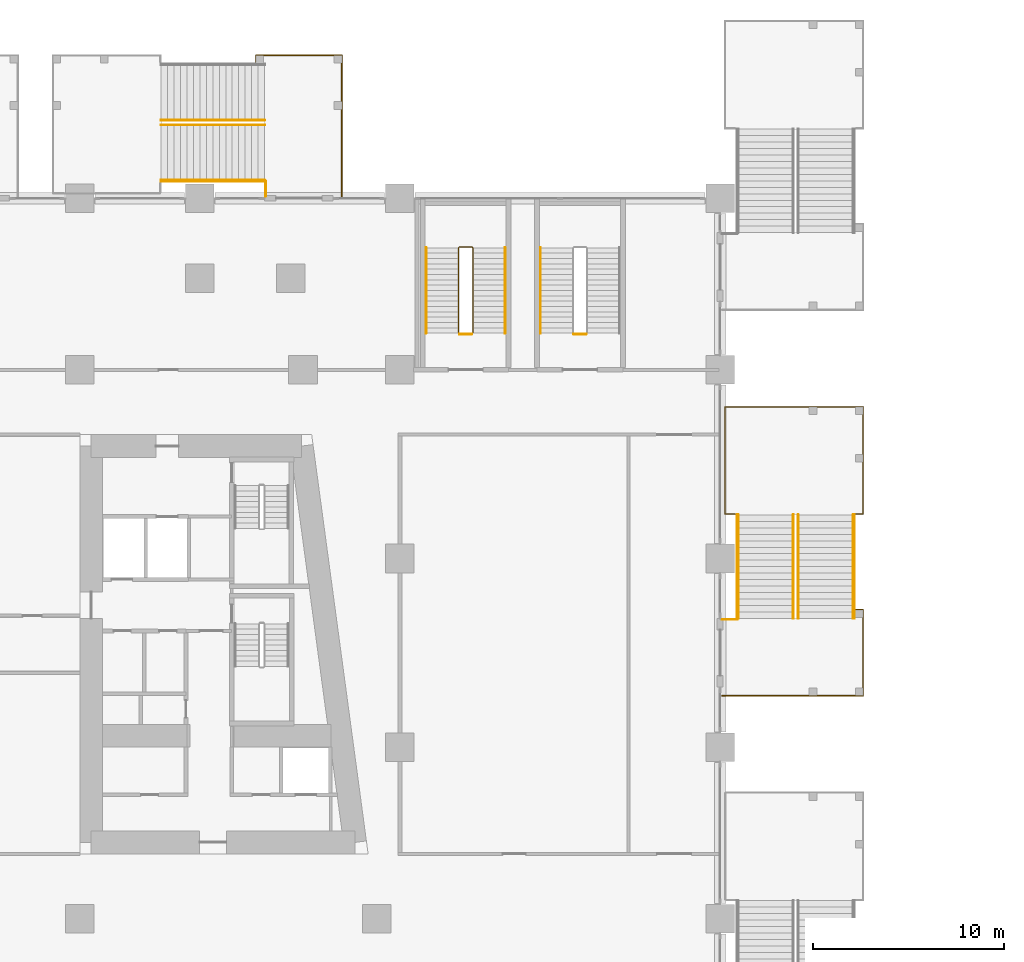
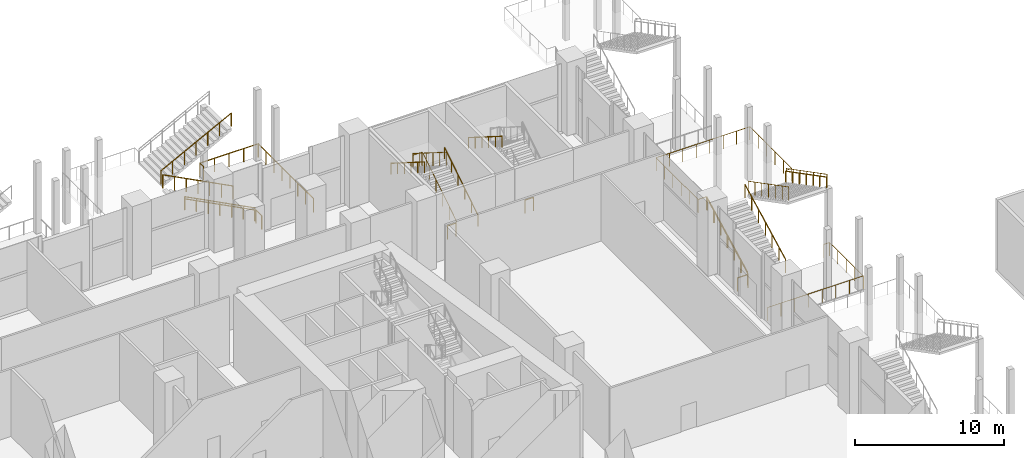
# One storey, part 45 of 49: 21 railings.
"""IFC4 building model written with IfcOpenShell, lengths in metres."""

from ifc_helpers import new_model, si_unit, direction, frame, origin, origin_2d, place, context, subcontext, project, spatial, circle, extrude, material, type_object, element, save


model = new_model("IFC4")

# Units and contexts
model_context = context("Model", 3, precision=1e-05, world=origin(), true_north=direction((0.0, 1.0)))
body_context = subcontext(model_context, "Body", "Model", "MODEL_VIEW")
ifc_project = project(units=[si_unit("LENGTHUNIT", "METRE"), si_unit("AREAUNIT", "SQUARE_METRE"), si_unit("VOLUMEUNIT", "CUBIC_METRE"), si_unit("PLANEANGLEUNIT", "RADIAN"), si_unit("MASSUNIT", "GRAM", prefix="KILO")], contexts=[model_context])

# Site, building, storey
site_placement = place(None, origin())
site = spatial("IfcSite", under=ifc_project, at=site_placement, CompositionType="ELEMENT")
building_placement = place(site_placement, origin())
building = spatial("IfcBuilding", under=site, at=building_placement, Name="Candeia Pilgrim Tower and Theatre", CompositionType="ELEMENT")
storey_placement = place(building_placement, frame((0.0, 0.0, 17.0)))
storey = spatial("IfcBuildingStorey", under=building, at=storey_placement, Name="L02", CompositionType="ELEMENT", Elevation=17.0)

# Railings
ifc_material_1 = material(Name="Stainless steel balustrade", Category="steel")
railing_type_1 = type_object("IfcRailingType", Name="RL-GUARD-1100", PredefinedType="GUARDRAIL", material=ifc_material_1)
railing_1_placement = place(storey_placement, frame((146.625, 137.72509765625, 0.176513671875)))
element("IfcRailing", 1, at=railing_1_placement, inside=storey, type_object=railing_type_1, Name="L02 PS3 stair guard 1", PredefinedType="GUARDRAIL", context=body_context, shape_type="SweptSolid", body=[
    extrude(circle(Radius=0.02392578125, at=origin_2d()), frame((0.0, 0.0, 1.076171875), z_axis=(0.0, 0.845997938375, 0.533186166611), x_axis=(-1.0, 0.0, 0.0)), (0.0, 0.0, 1.0), 5.29541015625),
    extrude(circle(Radius=0.02392578125, at=origin_2d()), frame((0.0, 4.47998046875, 3.8994140625), z_axis=(-0.708833529934, 0.705375805398, 0.0), x_axis=(-0.705375805398, -0.708833529934, 0.0)), (0.0, 0.0, 1.0), 0.070556640625),
    extrude(circle(Radius=0.02392578125, at=origin_2d()), frame((-0.050048828125, 4.52978515625, 3.8994140625), z_axis=(-1.0, 0.0, 0.0), x_axis=(0.0, -1.0, 0.0)), (0.0, 0.0, 1.0), 0.64990234375),
    extrude(circle(Radius=0.02392578125, at=origin_2d()), frame((-0.699951171875, 4.52978515625, 3.8994140625), z_axis=(-0.263260079301, -0.261975883792, 0.928473352853), x_axis=(0.705375805398, -0.708833529934, 0.0)), (0.0, 0.0, 1.0), 0.190185546875),
    extrude(circle(Radius=0.02392578125, at=origin_2d()), frame((-0.75, 4.47998046875, 4.076171875), z_axis=(0.0, -0.845997938375, 0.533186166611), x_axis=(1.0, 0.0, 0.0)), (0.0, 0.0, 1.0), 5.29541015625),
    extrude(circle(Radius=0.02099609375, at=origin_2d()), origin(), (0.0, 0.0, 1.0), 1.052001953125),
    extrude(circle(Radius=0.02099609375, at=origin_2d()), frame((0.0, 0.89599609375, 0.564697265625)), (0.0, 0.0, 1.0), 1.052001953125),
    extrude(circle(Radius=0.02099609375, at=origin_2d()), frame((0.0, 1.7919921875, 1.12939453125)), (0.0, 0.0, 1.0), 1.052001953125),
    extrude(circle(Radius=0.02099609375, at=origin_2d()), frame((0.0, 2.68798828125, 1.694091796875)), (0.0, 0.0, 1.0), 1.052001953125),
    extrude(circle(Radius=0.02099609375, at=origin_2d()), frame((0.0, 3.583984375, 2.2587890625)), (0.0, 0.0, 1.0), 1.052001953125),
    extrude(circle(Radius=0.02099609375, at=origin_2d()), frame((0.0, 4.47998046875, 2.823486328125)), (0.0, 0.0, 1.0), 1.052001953125),
    extrude(circle(Radius=0.02099609375, at=origin_2d()), frame((-0.050048828125, 4.52978515625, 2.823486328125)), (0.0, 0.0, 1.0), 1.052001953125),
    extrude(circle(Radius=0.02099609375, at=origin_2d()), frame((-0.699951171875, 4.52978515625, 2.823486328125)), (0.0, 0.0, 1.0), 1.052001953125),
    extrude(circle(Radius=0.02099609375, at=origin_2d()), frame((-0.75, 4.47998046875, 3.0)), (0.0, 0.0, 1.0), 1.052001953125),
    extrude(circle(Radius=0.02099609375, at=origin_2d()), frame((-0.75, 3.583984375, 3.564697265625)), (0.0, 0.0, 1.0), 1.052001953125),
    extrude(circle(Radius=0.02099609375, at=origin_2d()), frame((-0.75, 2.68798828125, 4.12939453125)), (0.0, 0.0, 1.0), 1.052001953125),
    extrude(circle(Radius=0.02099609375, at=origin_2d()), frame((-0.75, 1.7919921875, 4.694091796875)), (0.0, 0.0, 1.0), 1.052001953125),
    extrude(circle(Radius=0.02099609375, at=origin_2d()), frame((-0.75, 0.89599609375, 5.2587890625)), (0.0, 0.0, 1.0), 1.052001953125),
    extrude(circle(Radius=0.02099609375, at=origin_2d()), frame((-0.75, 0.0, 5.823486328125)), (0.0, 0.0, 1.0), 1.052001953125),
])
for number, where, name in (
    (2, (146.574951171875, 137.675048828125, 0.0), "L02 PS3 stair guard 2"),
    (3, (152.574951171875, 137.675048828125, 0.0), "L02 PS4 stair guard 2"),
):
    element("IfcRailing", number, at=place(storey_placement, frame(where)), inside=storey, type_object=railing_type_1, Name=name, PredefinedType="GUARDRAIL", context=body_context, shape_type="SweptSolid", body=[
        extrude(circle(Radius=0.02392578125, at=origin_2d()), frame((0.0, 0.0, 1.076171875), z_axis=(-1.0, 0.0, 0.0), x_axis=(0.0, -1.0, 0.0)), (0.0, 0.0, 1.0), 0.64990234375),
        extrude(circle(Radius=0.02099609375, at=origin_2d()), origin(), (0.0, 0.0, 1.0), 1.052001953125),
        extrude(circle(Radius=0.02099609375, at=origin_2d()), frame((-0.64990234375, 0.0, 0.0)), (0.0, 0.0, 1.0), 1.052001953125),
    ])
railing_2_placement = place(storey_placement, frame((135.699951171875, 148.64990234375, 0.176513671875)))
element("IfcRailing", 4, at=railing_2_placement, inside=storey, type_object=railing_type_1, Name="L02 ES7 stair guard 1", PredefinedType="GUARDRAIL", context=body_context, shape_type="SweptSolid", body=[
    extrude(circle(Radius=0.02392578125, at=origin_2d()), frame((0.0, 0.0, 1.076171875), z_axis=(-0.887569374008, 0.0, 0.460674078198), x_axis=(0.0, -1.0, 0.0)), (0.0, 0.0, 1.0), 6.129150390625),
    extrude(circle(Radius=0.02099609375, at=origin_2d()), origin(), (0.0, 0.0, 1.0), 1.052001953125),
    extrude(circle(Radius=0.02099609375, at=origin_2d()), frame((-0.90673828125, 0.0, 0.470703125)), (0.0, 0.0, 1.0), 1.052001953125),
    extrude(circle(Radius=0.02099609375, at=origin_2d()), frame((-1.813232421875, 0.0, 0.941162109375)), (0.0, 0.0, 1.0), 1.052001953125),
    extrude(circle(Radius=0.02099609375, at=origin_2d()), frame((-2.719970703125, 0.0, 1.41162109375)), (0.0, 0.0, 1.0), 1.052001953125),
    extrude(circle(Radius=0.02099609375, at=origin_2d()), frame((-3.626708984375, 0.0, 1.88232421875)), (0.0, 0.0, 1.0), 1.052001953125),
    extrude(circle(Radius=0.02099609375, at=origin_2d()), frame((-4.533203125, 0.0, 2.35302734375)), (0.0, 0.0, 1.0), 1.052001953125),
    extrude(circle(Radius=0.02099609375, at=origin_2d()), frame((-5.43994140625, 0.0, 2.823486328125)), (0.0, 0.0, 1.0), 1.052001953125),
])
railing_3_placement = place(storey_placement, frame((130.260009765625, 148.89990234375, 3.176513671875)))
element("IfcRailing", 5, at=railing_3_placement, inside=storey, type_object=railing_type_1, Name="L02 ES7 stair guard 2", PredefinedType="GUARDRAIL", context=body_context, shape_type="SweptSolid", body=[
    extrude(circle(Radius=0.02392578125, at=origin_2d()), frame((0.0, 0.0, 1.076171875), z_axis=(0.887569374008, 0.0, 0.460674078198), x_axis=(0.0, 1.0, 0.0)), (0.0, 0.0, 1.0), 6.129150390625),
    extrude(circle(Radius=0.02099609375, at=origin_2d()), origin(), (0.0, 0.0, 1.0), 1.052001953125),
    extrude(circle(Radius=0.02099609375, at=origin_2d()), frame((0.90673828125, 0.0, 0.470703125)), (0.0, 0.0, 1.0), 1.052001953125),
    extrude(circle(Radius=0.02099609375, at=origin_2d()), frame((1.813232421875, 0.0, 0.941162109375)), (0.0, 0.0, 1.0), 1.052001953125),
    extrude(circle(Radius=0.02099609375, at=origin_2d()), frame((2.719970703125, 0.0, 1.41162109375)), (0.0, 0.0, 1.0), 1.052001953125),
    extrude(circle(Radius=0.02099609375, at=origin_2d()), frame((3.626708984375, 0.0, 1.88232421875)), (0.0, 0.0, 1.0), 1.052001953125),
    extrude(circle(Radius=0.02099609375, at=origin_2d()), frame((4.533203125, 0.0, 2.35302734375)), (0.0, 0.0, 1.0), 1.052001953125),
    extrude(circle(Radius=0.02099609375, at=origin_2d()), frame((5.43994140625, 0.0, 2.823486328125)), (0.0, 0.0, 1.0), 1.052001953125),
])
railing_4_placement = place(storey_placement, frame((135.699951171875, 145.699951171875, 0.176513671875)))
element("IfcRailing", 6, at=railing_4_placement, inside=storey, type_object=railing_type_1, Name="L02 ES7 stair guard 3", PredefinedType="GUARDRAIL", context=body_context, shape_type="SweptSolid", body=[
    extrude(circle(Radius=0.02392578125, at=origin_2d()), frame((0.0, 0.0, 1.076171875), z_axis=(-0.887569374008, 0.0, 0.460674078198), x_axis=(0.0, -1.0, 0.0)), (0.0, 0.0, 1.0), 6.129150390625),
    extrude(circle(Radius=0.02099609375, at=origin_2d()), origin(), (0.0, 0.0, 1.0), 1.052001953125),
    extrude(circle(Radius=0.02099609375, at=origin_2d()), frame((-0.90673828125, 0.0, 0.470703125)), (0.0, 0.0, 1.0), 1.052001953125),
    extrude(circle(Radius=0.02099609375, at=origin_2d()), frame((-1.813232421875, 0.0, 0.941162109375)), (0.0, 0.0, 1.0), 1.052001953125),
    extrude(circle(Radius=0.02099609375, at=origin_2d()), frame((-2.719970703125, 0.0, 1.41162109375)), (0.0, 0.0, 1.0), 1.052001953125),
    extrude(circle(Radius=0.02099609375, at=origin_2d()), frame((-3.626708984375, 0.0, 1.88232421875)), (0.0, 0.0, 1.0), 1.052001953125),
    extrude(circle(Radius=0.02099609375, at=origin_2d()), frame((-4.533203125, 0.0, 2.35302734375)), (0.0, 0.0, 1.0), 1.052001953125),
    extrude(circle(Radius=0.02099609375, at=origin_2d()), frame((-5.43994140625, 0.0, 2.823486328125)), (0.0, 0.0, 1.0), 1.052001953125),
])
railing_5_placement = place(storey_placement, frame((139.75, 144.89990234375, 0.0)))
element("IfcRailing", 7, at=railing_5_placement, inside=storey, type_object=railing_type_1, Name="L02 External escape stair ES7 landing guard", PredefinedType="GUARDRAIL", context=body_context, shape_type="SweptSolid", body=[
    extrude(circle(Radius=0.02392578125, at=origin_2d()), frame((0.0, 0.0, 1.076171875), z_axis=(0.0, 1.0, 0.0), x_axis=(-1.0, 0.0, 0.0)), (0.0, 0.0, 1.0), 7.400146484375),
    extrude(circle(Radius=0.02392578125, at=origin_2d()), frame((0.0, 7.400146484375, 1.076171875), z_axis=(-1.0, 0.0, 0.0), x_axis=(0.0, -1.0, 0.0)), (0.0, 0.0, 1.0), 4.5),
    extrude(circle(Radius=0.02392578125, at=origin_2d()), frame((-4.5, 7.400146484375, 1.076171875), z_axis=(0.0, -1.0, 0.0), x_axis=(1.0, 0.0, 0.0)), (0.0, 0.0, 1.0), 0.449951171875),
    extrude(circle(Radius=0.02099609375, at=origin_2d()), origin(), (0.0, 0.0, 1.0), 1.052001953125),
    extrude(circle(Radius=0.02099609375, at=origin_2d()), frame((0.0, 1.05712890625, 0.0)), (0.0, 0.0, 1.0), 1.052001953125),
    extrude(circle(Radius=0.02099609375, at=origin_2d()), frame((0.0, 2.1142578125, 0.0)), (0.0, 0.0, 1.0), 1.052001953125),
    extrude(circle(Radius=0.02099609375, at=origin_2d()), frame((0.0, 3.17138671875, 0.0)), (0.0, 0.0, 1.0), 1.052001953125),
    extrude(circle(Radius=0.02099609375, at=origin_2d()), frame((0.0, 4.228759765625, 0.0)), (0.0, 0.0, 1.0), 1.052001953125),
    extrude(circle(Radius=0.02099609375, at=origin_2d()), frame((0.0, 5.285888671875, 0.0)), (0.0, 0.0, 1.0), 1.052001953125),
    extrude(circle(Radius=0.02099609375, at=origin_2d()), frame((0.0, 6.343017578125, 0.0)), (0.0, 0.0, 1.0), 1.052001953125),
    extrude(circle(Radius=0.02099609375, at=origin_2d()), frame((0.0, 7.400146484375, 0.0)), (0.0, 0.0, 1.0), 1.052001953125),
    extrude(circle(Radius=0.02099609375, at=origin_2d()), frame((-1.125, 7.400146484375, 0.0)), (0.0, 0.0, 1.0), 1.052001953125),
    extrude(circle(Radius=0.02099609375, at=origin_2d()), frame((-2.25, 7.400146484375, 0.0)), (0.0, 0.0, 1.0), 1.052001953125),
    extrude(circle(Radius=0.02099609375, at=origin_2d()), frame((-3.375, 7.400146484375, 0.0)), (0.0, 0.0, 1.0), 1.052001953125),
    extrude(circle(Radius=0.02099609375, at=origin_2d()), frame((-4.5, 7.400146484375, 0.0)), (0.0, 0.0, 1.0), 1.052001953125),
    extrude(circle(Radius=0.02099609375, at=origin_2d()), frame((-4.5, 6.9501953125, 0.0)), (0.0, 0.0, 1.0), 1.052001953125),
])
railing_6_placement = place(storey_placement, frame((135.75, 144.89990234375, 0.0)))
element("IfcRailing", 8, at=railing_6_placement, inside=storey, type_object=railing_type_1, Name="L02 External escape stair ES7 bridge guard", PredefinedType="GUARDRAIL", context=body_context, shape_type="SweptSolid", body=[
    extrude(circle(Radius=0.02392578125, at=origin_2d()), frame((0.0, 0.0, 1.076171875), z_axis=(0.0, 1.0, 0.0), x_axis=(-1.0, 0.0, 0.0)), (0.0, 0.0, 1.0), 0.800048828125),
    extrude(circle(Radius=0.02099609375, at=origin_2d()), origin(), (0.0, 0.0, 1.0), 1.052001953125),
    extrude(circle(Radius=0.02099609375, at=origin_2d()), frame((0.0, 0.800048828125, 0.0)), (0.0, 0.0, 1.0), 1.052001953125),
])
railing_7_placement = place(storey_placement, frame((163.449951171875, 122.75, 0.176513671875)))
element("IfcRailing", 9, at=railing_7_placement, inside=storey, type_object=railing_type_1, Name="L02 ES14 stair guard 1", PredefinedType="GUARDRAIL", context=body_context, shape_type="SweptSolid", body=[
    extrude(circle(Radius=0.02392578125, at=origin_2d()), frame((0.0, 0.0, 1.076171875), z_axis=(0.0, 0.887569374008, 0.460674078198), x_axis=(-1.0, 0.0, 0.0)), (0.0, 0.0, 1.0), 6.129150390625),
    extrude(circle(Radius=0.02099609375, at=origin_2d()), origin(), (0.0, 0.0, 1.0), 1.052001953125),
    extrude(circle(Radius=0.02099609375, at=origin_2d()), frame((0.0, 0.90673828125, 0.470703125)), (0.0, 0.0, 1.0), 1.052001953125),
    extrude(circle(Radius=0.02099609375, at=origin_2d()), frame((0.0, 1.813232421875, 0.941162109375)), (0.0, 0.0, 1.0), 1.052001953125),
    extrude(circle(Radius=0.02099609375, at=origin_2d()), frame((0.0, 2.719970703125, 1.41162109375)), (0.0, 0.0, 1.0), 1.052001953125),
    extrude(circle(Radius=0.02099609375, at=origin_2d()), frame((0.0, 3.626708984375, 1.88232421875)), (0.0, 0.0, 1.0), 1.052001953125),
    extrude(circle(Radius=0.02099609375, at=origin_2d()), frame((0.0, 4.533203125, 2.35302734375)), (0.0, 0.0, 1.0), 1.052001953125),
    extrude(circle(Radius=0.02099609375, at=origin_2d()), frame((0.0, 5.43994140625, 2.823486328125)), (0.0, 0.0, 1.0), 1.052001953125),
])
railing_8_placement = place(storey_placement, frame((163.699951171875, 128.18994140625, 3.176513671875)))
element("IfcRailing", 10, at=railing_8_placement, inside=storey, type_object=railing_type_1, Name="L02 ES14 stair guard 2", PredefinedType="GUARDRAIL", context=body_context, shape_type="SweptSolid", body=[
    extrude(circle(Radius=0.02392578125, at=origin_2d()), frame((0.0, 0.0, 1.076171875), z_axis=(0.0, -0.887569374008, 0.460674078198), x_axis=(1.0, 0.0, 0.0)), (0.0, 0.0, 1.0), 6.129150390625),
    extrude(circle(Radius=0.02099609375, at=origin_2d()), origin(), (0.0, 0.0, 1.0), 1.052001953125),
    extrude(circle(Radius=0.02099609375, at=origin_2d()), frame((0.0, -0.90673828125, 0.470703125)), (0.0, 0.0, 1.0), 1.052001953125),
    extrude(circle(Radius=0.02099609375, at=origin_2d()), frame((0.0, -1.813232421875, 0.941162109375)), (0.0, 0.0, 1.0), 1.052001953125),
    extrude(circle(Radius=0.02099609375, at=origin_2d()), frame((0.0, -2.719970703125, 1.41162109375)), (0.0, 0.0, 1.0), 1.052001953125),
    extrude(circle(Radius=0.02099609375, at=origin_2d()), frame((0.0, -3.626708984375, 1.88232421875)), (0.0, 0.0, 1.0), 1.052001953125),
    extrude(circle(Radius=0.02099609375, at=origin_2d()), frame((0.0, -4.533203125, 2.35302734375)), (0.0, 0.0, 1.0), 1.052001953125),
    extrude(circle(Radius=0.02099609375, at=origin_2d()), frame((0.0, -5.43994140625, 2.823486328125)), (0.0, 0.0, 1.0), 1.052001953125),
])
railing_9_placement = place(storey_placement, frame((160.5, 122.75, 0.176513671875)))
element("IfcRailing", 11, at=railing_9_placement, inside=storey, type_object=railing_type_1, Name="L02 ES14 stair guard 3", PredefinedType="GUARDRAIL", context=body_context, shape_type="SweptSolid", body=[
    extrude(circle(Radius=0.02392578125, at=origin_2d()), frame((0.0, 0.0, 1.076171875), z_axis=(0.0, 0.887569374008, 0.460674078198), x_axis=(-1.0, 0.0, 0.0)), (0.0, 0.0, 1.0), 6.129150390625),
    extrude(circle(Radius=0.02099609375, at=origin_2d()), origin(), (0.0, 0.0, 1.0), 1.052001953125),
    extrude(circle(Radius=0.02099609375, at=origin_2d()), frame((0.0, 0.90673828125, 0.470703125)), (0.0, 0.0, 1.0), 1.052001953125),
    extrude(circle(Radius=0.02099609375, at=origin_2d()), frame((0.0, 1.813232421875, 0.941162109375)), (0.0, 0.0, 1.0), 1.052001953125),
    extrude(circle(Radius=0.02099609375, at=origin_2d()), frame((0.0, 2.719970703125, 1.41162109375)), (0.0, 0.0, 1.0), 1.052001953125),
    extrude(circle(Radius=0.02099609375, at=origin_2d()), frame((0.0, 3.626708984375, 1.88232421875)), (0.0, 0.0, 1.0), 1.052001953125),
    extrude(circle(Radius=0.02099609375, at=origin_2d()), frame((0.0, 4.533203125, 2.35302734375)), (0.0, 0.0, 1.0), 1.052001953125),
    extrude(circle(Radius=0.02099609375, at=origin_2d()), frame((0.0, 5.43994140625, 2.823486328125)), (0.0, 0.0, 1.0), 1.052001953125),
])
railing_10_placement = place(storey_placement, frame((166.64990234375, 128.18994140625, 3.176513671875)))
element("IfcRailing", 12, at=railing_10_placement, inside=storey, type_object=railing_type_1, Name="L02 ES14 stair guard 4", PredefinedType="GUARDRAIL", context=body_context, shape_type="SweptSolid", body=[
    extrude(circle(Radius=0.02392578125, at=origin_2d()), frame((0.0, 0.0, 1.076171875), z_axis=(0.0, -0.887569374008, 0.460674078198), x_axis=(1.0, 0.0, 0.0)), (0.0, 0.0, 1.0), 6.129150390625),
    extrude(circle(Radius=0.02099609375, at=origin_2d()), origin(), (0.0, 0.0, 1.0), 1.052001953125),
    extrude(circle(Radius=0.02099609375, at=origin_2d()), frame((0.0, -0.90673828125, 0.470703125)), (0.0, 0.0, 1.0), 1.052001953125),
    extrude(circle(Radius=0.02099609375, at=origin_2d()), frame((0.0, -1.813232421875, 0.941162109375)), (0.0, 0.0, 1.0), 1.052001953125),
    extrude(circle(Radius=0.02099609375, at=origin_2d()), frame((0.0, -2.719970703125, 1.41162109375)), (0.0, 0.0, 1.0), 1.052001953125),
    extrude(circle(Radius=0.02099609375, at=origin_2d()), frame((0.0, -3.626708984375, 1.88232421875)), (0.0, 0.0, 1.0), 1.052001953125),
    extrude(circle(Radius=0.02099609375, at=origin_2d()), frame((0.0, -4.533203125, 2.35302734375)), (0.0, 0.0, 1.0), 1.052001953125),
    extrude(circle(Radius=0.02099609375, at=origin_2d()), frame((0.0, -5.43994140625, 2.823486328125)), (0.0, 0.0, 1.0), 1.052001953125),
])
railing_11_placement = place(storey_placement, frame((160.5, 128.239990234375, 3.0)))
element("IfcRailing", 13, at=railing_11_placement, inside=storey, type_object=railing_type_1, Name="L02 ES14 stair guard 5", PredefinedType="GUARDRAIL", context=body_context, shape_type="SweptSolid", body=[
    extrude(circle(Radius=0.02392578125, at=origin_2d()), frame((0.0, 0.0, 1.076171875), z_axis=(-1.0, 0.0, 0.0), x_axis=(0.0, -1.0, 0.0)), (0.0, 0.0, 1.0), 0.64990234375),
    extrude(circle(Radius=0.02392578125, at=origin_2d()), frame((-0.64990234375, 0.0, 1.076171875), z_axis=(0.0, 1.0, 0.0), x_axis=(-1.0, 0.0, 0.0)), (0.0, 0.0, 1.0), 5.6201171875),
    extrude(circle(Radius=0.02392578125, at=origin_2d()), frame((-0.64990234375, 5.6201171875, 1.076171875), z_axis=(1.0, 0.0, 0.0), x_axis=(0.0, 1.0, 0.0)), (0.0, 0.0, 1.0), 7.25),
    extrude(circle(Radius=0.02392578125, at=origin_2d()), frame((6.60009765625, 5.6201171875, 1.076171875), z_axis=(0.0, -1.0, 0.0), x_axis=(1.0, 0.0, 0.0)), (0.0, 0.0, 1.0), 5.6201171875),
    extrude(circle(Radius=0.02392578125, at=origin_2d()), frame((6.60009765625, 0.0, 1.076171875), z_axis=(-1.0, 0.0, 0.0), x_axis=(0.0, -1.0, 0.0)), (0.0, 0.0, 1.0), 0.4501953125),
    extrude(circle(Radius=0.02099609375, at=origin_2d()), origin(), (0.0, 0.0, 1.0), 1.052001953125),
    extrude(circle(Radius=0.02099609375, at=origin_2d()), frame((-0.64990234375, 0.0, 0.0)), (0.0, 0.0, 1.0), 1.052001953125),
    extrude(circle(Radius=0.02099609375, at=origin_2d()), frame((-0.64990234375, 1.1240234375, 0.0)), (0.0, 0.0, 1.0), 1.052001953125),
    extrude(circle(Radius=0.02099609375, at=origin_2d()), frame((-0.64990234375, 2.248046875, 0.0)), (0.0, 0.0, 1.0), 1.052001953125),
    extrude(circle(Radius=0.02099609375, at=origin_2d()), frame((-0.64990234375, 3.3720703125, 0.0)), (0.0, 0.0, 1.0), 1.052001953125),
    extrude(circle(Radius=0.02099609375, at=origin_2d()), frame((-0.64990234375, 4.49609375, 0.0)), (0.0, 0.0, 1.0), 1.052001953125),
    extrude(circle(Radius=0.02099609375, at=origin_2d()), frame((-0.64990234375, 5.6201171875, 0.0)), (0.0, 0.0, 1.0), 1.052001953125),
    extrude(circle(Radius=0.02099609375, at=origin_2d()), frame((0.3857421875, 5.6201171875, 0.0)), (0.0, 0.0, 1.0), 1.052001953125),
    extrude(circle(Radius=0.02099609375, at=origin_2d()), frame((1.421630859375, 5.6201171875, 0.0)), (0.0, 0.0, 1.0), 1.052001953125),
    extrude(circle(Radius=0.02099609375, at=origin_2d()), frame((2.457275390625, 5.6201171875, 0.0)), (0.0, 0.0, 1.0), 1.052001953125),
    extrude(circle(Radius=0.02099609375, at=origin_2d()), frame((3.492919921875, 5.6201171875, 0.0)), (0.0, 0.0, 1.0), 1.052001953125),
    extrude(circle(Radius=0.02099609375, at=origin_2d()), frame((4.528564453125, 5.6201171875, 0.0)), (0.0, 0.0, 1.0), 1.052001953125),
    extrude(circle(Radius=0.02099609375, at=origin_2d()), frame((5.564453125, 5.6201171875, 0.0)), (0.0, 0.0, 1.0), 1.052001953125),
    extrude(circle(Radius=0.02099609375, at=origin_2d()), frame((6.60009765625, 5.6201171875, 0.0)), (0.0, 0.0, 1.0), 1.052001953125),
    extrude(circle(Radius=0.02099609375, at=origin_2d()), frame((6.60009765625, 4.49609375, 0.0)), (0.0, 0.0, 1.0), 1.052001953125),
    extrude(circle(Radius=0.02099609375, at=origin_2d()), frame((6.60009765625, 3.3720703125, 0.0)), (0.0, 0.0, 1.0), 1.052001953125),
    extrude(circle(Radius=0.02099609375, at=origin_2d()), frame((6.60009765625, 2.248046875, 0.0)), (0.0, 0.0, 1.0), 1.052001953125),
    extrude(circle(Radius=0.02099609375, at=origin_2d()), frame((6.60009765625, 1.1240234375, 0.0)), (0.0, 0.0, 1.0), 1.052001953125),
    extrude(circle(Radius=0.02099609375, at=origin_2d()), frame((6.60009765625, 0.0, 0.0)), (0.0, 0.0, 1.0), 1.052001953125),
    extrude(circle(Radius=0.02099609375, at=origin_2d()), frame((6.14990234375, 0.0, 0.0)), (0.0, 0.0, 1.0), 1.052001953125),
])
railing_12_placement = place(storey_placement, frame((159.699951171875, 118.699951171875, 0.0)))
element("IfcRailing", 14, at=railing_12_placement, inside=storey, type_object=railing_type_1, Name="L02 External escape stair ES14 landing guard", PredefinedType="GUARDRAIL", context=body_context, shape_type="SweptSolid", body=[
    extrude(circle(Radius=0.02392578125, at=origin_2d()), frame((0.0, 0.0, 1.076171875), z_axis=(1.0, 0.0, 0.0), x_axis=(0.0, 1.0, 0.0)), (0.0, 0.0, 1.0), 7.400146484375),
    extrude(circle(Radius=0.02392578125, at=origin_2d()), frame((7.400146484375, 0.0, 1.076171875), z_axis=(0.0, 1.0, 0.0), x_axis=(-1.0, 0.0, 0.0)), (0.0, 0.0, 1.0), 4.5),
    extrude(circle(Radius=0.02392578125, at=origin_2d()), frame((7.400146484375, 4.5, 1.076171875), z_axis=(-1.0, 0.0, 0.0), x_axis=(0.0, -1.0, 0.0)), (0.0, 0.0, 1.0), 0.4501953125),
    extrude(circle(Radius=0.02099609375, at=origin_2d()), origin(), (0.0, 0.0, 1.0), 1.052001953125),
    extrude(circle(Radius=0.02099609375, at=origin_2d()), frame((1.05712890625, 0.0, 0.0)), (0.0, 0.0, 1.0), 1.052001953125),
    extrude(circle(Radius=0.02099609375, at=origin_2d()), frame((2.1142578125, 0.0, 0.0)), (0.0, 0.0, 1.0), 1.052001953125),
    extrude(circle(Radius=0.02099609375, at=origin_2d()), frame((3.17138671875, 0.0, 0.0)), (0.0, 0.0, 1.0), 1.052001953125),
    extrude(circle(Radius=0.02099609375, at=origin_2d()), frame((4.228759765625, 0.0, 0.0)), (0.0, 0.0, 1.0), 1.052001953125),
    extrude(circle(Radius=0.02099609375, at=origin_2d()), frame((5.285888671875, 0.0, 0.0)), (0.0, 0.0, 1.0), 1.052001953125),
    extrude(circle(Radius=0.02099609375, at=origin_2d()), frame((6.343017578125, 0.0, 0.0)), (0.0, 0.0, 1.0), 1.052001953125),
    extrude(circle(Radius=0.02099609375, at=origin_2d()), frame((7.400146484375, 0.0, 0.0)), (0.0, 0.0, 1.0), 1.052001953125),
    extrude(circle(Radius=0.02099609375, at=origin_2d()), frame((7.400146484375, 1.125, 0.0)), (0.0, 0.0, 1.0), 1.052001953125),
    extrude(circle(Radius=0.02099609375, at=origin_2d()), frame((7.400146484375, 2.25, 0.0)), (0.0, 0.0, 1.0), 1.052001953125),
    extrude(circle(Radius=0.02099609375, at=origin_2d()), frame((7.400146484375, 3.375, 0.0)), (0.0, 0.0, 1.0), 1.052001953125),
    extrude(circle(Radius=0.02099609375, at=origin_2d()), frame((7.400146484375, 4.5, 0.0)), (0.0, 0.0, 1.0), 1.052001953125),
    extrude(circle(Radius=0.02099609375, at=origin_2d()), frame((6.949951171875, 4.5, 0.0)), (0.0, 0.0, 1.0), 1.052001953125),
])
railing_13_placement = place(storey_placement, frame((159.699951171875, 122.699951171875, 0.0)))
element("IfcRailing", 15, at=railing_13_placement, inside=storey, type_object=railing_type_1, Name="L02 External escape stair ES14 bridge guard", PredefinedType="GUARDRAIL", context=body_context, shape_type="SweptSolid", body=[
    extrude(circle(Radius=0.02392578125, at=origin_2d()), frame((0.0, 0.0, 1.076171875), z_axis=(1.0, 0.0, 0.0), x_axis=(0.0, 1.0, 0.0)), (0.0, 0.0, 1.0), 0.800048828125),
    extrude(circle(Radius=0.02099609375, at=origin_2d()), origin(), (0.0, 0.0, 1.0), 1.052001953125),
    extrude(circle(Radius=0.02099609375, at=origin_2d()), frame((0.800048828125, 0.0, 0.0)), (0.0, 0.0, 1.0), 1.052001953125),
])
ifc_material_2 = material(Name="Stainless steel handrail", Category="steel")
railing_type_2 = type_object("IfcRailingType", Name="RL-HANDRAIL-900", PredefinedType="HANDRAIL", material=ifc_material_2)
railing_14_placement = place(storey_placement, frame((148.324951171875, 137.72509765625, 0.176513671875)))
element("IfcRailing", 16, at=railing_14_placement, inside=storey, type_object=railing_type_2, Name="L02 PS3 stair handrail 1", PredefinedType="HANDRAIL", context=body_context, shape_type="SweptSolid", body=[
    extrude(circle(Radius=0.02392578125, at=origin_2d()), frame((0.0, 0.0, 0.8759765625), z_axis=(0.0, 0.845997938375, 0.533186166611), x_axis=(-1.0, 0.0, 0.0)), (0.0, 0.0, 1.0), 5.29541015625),
    extrude(circle(Radius=0.02099609375, at=origin_2d()), origin(), (0.0, 0.0, 1.0), 0.851806640625),
    extrude(circle(Radius=0.02099609375, at=origin_2d()), frame((0.0, 0.89599609375, 0.564697265625)), (0.0, 0.0, 1.0), 0.851806640625),
    extrude(circle(Radius=0.02099609375, at=origin_2d()), frame((0.0, 1.7919921875, 1.12939453125)), (0.0, 0.0, 1.0), 0.851806640625),
    extrude(circle(Radius=0.02099609375, at=origin_2d()), frame((0.0, 2.68798828125, 1.694091796875)), (0.0, 0.0, 1.0), 0.851806640625),
    extrude(circle(Radius=0.02099609375, at=origin_2d()), frame((0.0, 3.583984375, 2.2587890625)), (0.0, 0.0, 1.0), 0.851806640625),
    extrude(circle(Radius=0.02099609375, at=origin_2d()), frame((0.0, 4.47998046875, 2.823486328125)), (0.0, 0.0, 1.0), 0.851806640625),
])
for number, where, name in (
    (17, (144.175048828125, 142.205078125, 3.176513671875), "L02 PS3 stair handrail 2"),
    (18, (150.175048828125, 142.205078125, 3.176513671875), "L02 PS4 stair handrail 2"),
):
    element("IfcRailing", number, at=place(storey_placement, frame(where)), inside=storey, type_object=railing_type_2, Name=name, PredefinedType="HANDRAIL", context=body_context, shape_type="SweptSolid", body=[
        extrude(circle(Radius=0.02392578125, at=origin_2d()), frame((0.0, 0.0, 0.8759765625), z_axis=(0.0, -0.845997938375, 0.533186166611), x_axis=(1.0, 0.0, 0.0)), (0.0, 0.0, 1.0), 5.29541015625),
        extrude(circle(Radius=0.02099609375, at=origin_2d()), origin(), (0.0, 0.0, 1.0), 0.851806640625),
        extrude(circle(Radius=0.02099609375, at=origin_2d()), frame((0.0, -0.89599609375, 0.564697265625)), (0.0, 0.0, 1.0), 0.851806640625),
        extrude(circle(Radius=0.02099609375, at=origin_2d()), frame((0.0, -1.7919921875, 1.12939453125)), (0.0, 0.0, 1.0), 0.851806640625),
        extrude(circle(Radius=0.02099609375, at=origin_2d()), frame((0.0, -2.68798828125, 1.694091796875)), (0.0, 0.0, 1.0), 0.851806640625),
        extrude(circle(Radius=0.02099609375, at=origin_2d()), frame((0.0, -3.583984375, 2.2587890625)), (0.0, 0.0, 1.0), 0.851806640625),
        extrude(circle(Radius=0.02099609375, at=origin_2d()), frame((0.0, -4.47998046875, 2.823486328125)), (0.0, 0.0, 1.0), 0.851806640625),
    ])
railing_15_placement = place(storey_placement, frame((135.699951171875, 145.75, 0.176513671875)))
element("IfcRailing", 19, at=railing_15_placement, inside=storey, type_object=railing_type_2, Name="L02 ES7 stair handrail 1", PredefinedType="HANDRAIL", context=body_context, shape_type="SweptSolid", body=[
    extrude(circle(Radius=0.02392578125, at=origin_2d()), frame((0.0, 0.0, 0.8759765625), z_axis=(-0.887569374008, 0.0, 0.460674078198), x_axis=(0.0, -1.0, 0.0)), (0.0, 0.0, 1.0), 6.129150390625),
    extrude(circle(Radius=0.02099609375, at=origin_2d()), origin(), (0.0, 0.0, 1.0), 0.851806640625),
    extrude(circle(Radius=0.02099609375, at=origin_2d()), frame((-0.90673828125, 0.0, 0.470703125)), (0.0, 0.0, 1.0), 0.851806640625),
    extrude(circle(Radius=0.02099609375, at=origin_2d()), frame((-1.813232421875, 0.0, 0.941162109375)), (0.0, 0.0, 1.0), 0.851806640625),
    extrude(circle(Radius=0.02099609375, at=origin_2d()), frame((-2.719970703125, 0.0, 1.41162109375)), (0.0, 0.0, 1.0), 0.851806640625),
    extrude(circle(Radius=0.02099609375, at=origin_2d()), frame((-3.626708984375, 0.0, 1.88232421875)), (0.0, 0.0, 1.0), 0.851806640625),
    extrude(circle(Radius=0.02099609375, at=origin_2d()), frame((-4.533203125, 0.0, 2.35302734375)), (0.0, 0.0, 1.0), 0.851806640625),
    extrude(circle(Radius=0.02099609375, at=origin_2d()), frame((-5.43994140625, 0.0, 2.823486328125)), (0.0, 0.0, 1.0), 0.851806640625),
])
railing_16_placement = place(storey_placement, frame((160.550048828125, 122.75, 0.176513671875)))
element("IfcRailing", 20, at=railing_16_placement, inside=storey, type_object=railing_type_2, Name="L02 ES14 stair handrail 1", PredefinedType="HANDRAIL", context=body_context, shape_type="SweptSolid", body=[
    extrude(circle(Radius=0.02392578125, at=origin_2d()), frame((0.0, 0.0, 0.8759765625), z_axis=(0.0, 0.887569374008, 0.460674078198), x_axis=(-1.0, 0.0, 0.0)), (0.0, 0.0, 1.0), 6.129150390625),
    extrude(circle(Radius=0.02099609375, at=origin_2d()), origin(), (0.0, 0.0, 1.0), 0.851806640625),
    extrude(circle(Radius=0.02099609375, at=origin_2d()), frame((0.0, 0.90673828125, 0.470703125)), (0.0, 0.0, 1.0), 0.851806640625),
    extrude(circle(Radius=0.02099609375, at=origin_2d()), frame((0.0, 1.813232421875, 0.941162109375)), (0.0, 0.0, 1.0), 0.851806640625),
    extrude(circle(Radius=0.02099609375, at=origin_2d()), frame((0.0, 2.719970703125, 1.41162109375)), (0.0, 0.0, 1.0), 0.851806640625),
    extrude(circle(Radius=0.02099609375, at=origin_2d()), frame((0.0, 3.626708984375, 1.88232421875)), (0.0, 0.0, 1.0), 0.851806640625),
    extrude(circle(Radius=0.02099609375, at=origin_2d()), frame((0.0, 4.533203125, 2.35302734375)), (0.0, 0.0, 1.0), 0.851806640625),
    extrude(circle(Radius=0.02099609375, at=origin_2d()), frame((0.0, 5.43994140625, 2.823486328125)), (0.0, 0.0, 1.0), 0.851806640625),
])
railing_17_placement = place(storey_placement, frame((166.60009765625, 128.18994140625, 3.176513671875)))
element("IfcRailing", 21, at=railing_17_placement, inside=storey, type_object=railing_type_2, Name="L02 ES14 stair handrail 2", PredefinedType="HANDRAIL", context=body_context, shape_type="SweptSolid", body=[
    extrude(circle(Radius=0.02392578125, at=origin_2d()), frame((0.0, 0.0, 0.8759765625), z_axis=(0.0, -0.887569374008, 0.460674078198), x_axis=(1.0, 0.0, 0.0)), (0.0, 0.0, 1.0), 6.129150390625),
    extrude(circle(Radius=0.02099609375, at=origin_2d()), origin(), (0.0, 0.0, 1.0), 0.851806640625),
    extrude(circle(Radius=0.02099609375, at=origin_2d()), frame((0.0, -0.90673828125, 0.470703125)), (0.0, 0.0, 1.0), 0.851806640625),
    extrude(circle(Radius=0.02099609375, at=origin_2d()), frame((0.0, -1.813232421875, 0.941162109375)), (0.0, 0.0, 1.0), 0.851806640625),
    extrude(circle(Radius=0.02099609375, at=origin_2d()), frame((0.0, -2.719970703125, 1.41162109375)), (0.0, 0.0, 1.0), 0.851806640625),
    extrude(circle(Radius=0.02099609375, at=origin_2d()), frame((0.0, -3.626708984375, 1.88232421875)), (0.0, 0.0, 1.0), 0.851806640625),
    extrude(circle(Radius=0.02099609375, at=origin_2d()), frame((0.0, -4.533203125, 2.35302734375)), (0.0, 0.0, 1.0), 0.851806640625),
    extrude(circle(Radius=0.02099609375, at=origin_2d()), frame((0.0, -5.43994140625, 2.823486328125)), (0.0, 0.0, 1.0), 0.851806640625),
])

save(model, "model.ifc")
